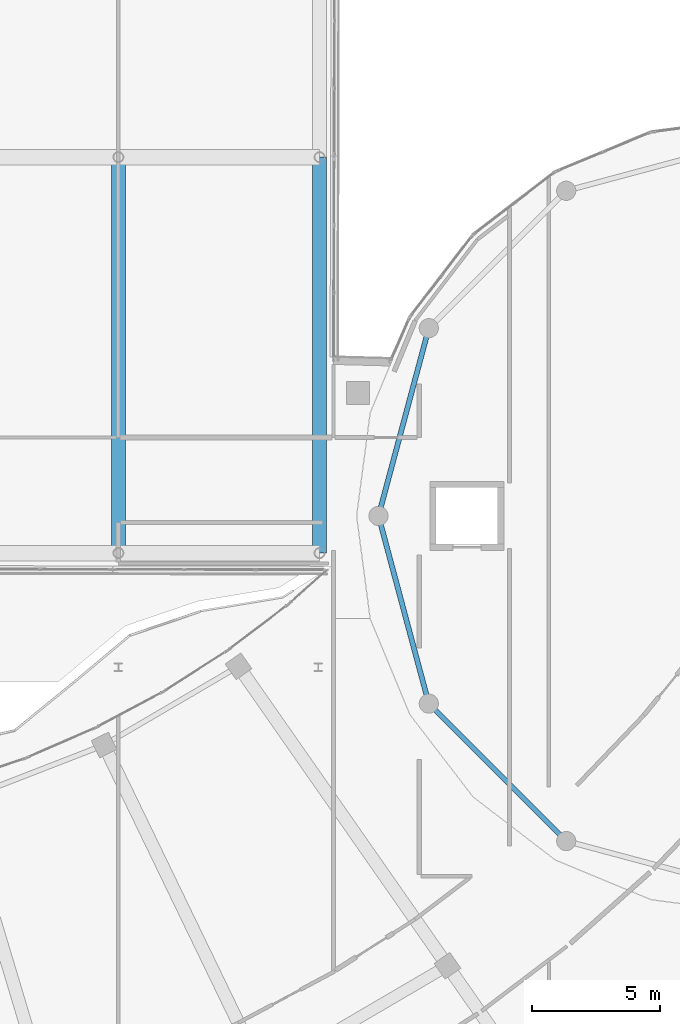
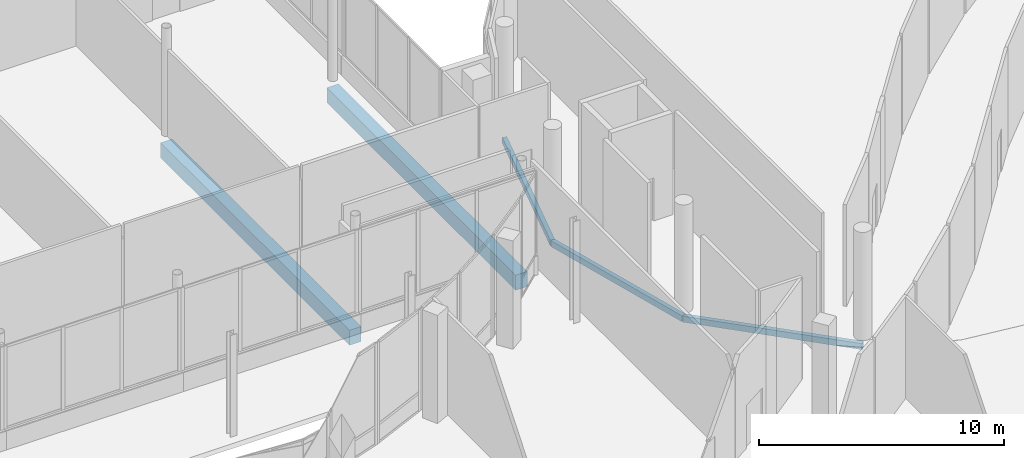
# One storey, part 55 of 158: 5 beams.
"""IFC4 building model written with IfcOpenShell, lengths in metres."""

from ifc_helpers import new_model, si_unit, direction, frame, origin, origin_2d, place, context, subcontext, project, spatial, rectangle, hollow_rectangle, extrude, material, material_profile, profile_set, type_object, element, save


model = new_model("IFC4")

# Units and contexts
model_context = context("Model", 3, precision=1e-05, world=origin(), true_north=direction((0.0, 1.0)))
body_context = subcontext(model_context, "Body", "Model", "MODEL_VIEW")
ifc_project = project(units=[si_unit("LENGTHUNIT", "METRE"), si_unit("AREAUNIT", "SQUARE_METRE"), si_unit("VOLUMEUNIT", "CUBIC_METRE"), si_unit("PLANEANGLEUNIT", "RADIAN"), si_unit("MASSUNIT", "GRAM", prefix="KILO")], contexts=[model_context])

# Site, building, storey
site_placement = place(None, origin())
site = spatial("IfcSite", under=ifc_project, at=site_placement, CompositionType="ELEMENT")
building_placement = place(site_placement, origin())
building = spatial("IfcBuilding", under=site, at=building_placement, Name="Selatvlak General Hospital", CompositionType="ELEMENT")
storey_placement = place(building_placement, origin())
storey = spatial("IfcBuildingStorey", under=building, at=storey_placement, Name="L00", CompositionType="ELEMENT", Elevation=0.0)

# Beams
ifc_material_1 = material(Name="Concrete C40/50", Category="concrete")
ifc_material_profile_1 = material_profile(ifc_material_1, rectangle(XDim=0.550048828125, YDim=0.75, at=origin_2d()), Name="RC-BM 550x750")
ifc_profile_set_1 = profile_set([ifc_material_profile_1], Name="Concrete C40/50")
beam_type_1 = type_object("IfcBeamType", Name="BM-G02", PredefinedType="BEAM", material=ifc_profile_set_1)
for number, where, z_axis, x_axis, name in (
    (1, (73.199951171875, 52.550048828125, -0.72509765625), (0.0, 1.0, 0.0), (-1.0, 0.0, 0.0), "Beam BMR-L00-0206"),
    (2, (81.050048828125, 52.550048828125, -0.72509765625), (0.0, 1.0, 0.0), (-1.0, 0.0, 0.0), "Beam BMR-L00-0213"),
):
    element("IfcBeam", number, at=place(storey_placement, frame(where, z_axis=z_axis, x_axis=x_axis)), inside=storey, type_object=beam_type_1, Name=name, PredefinedType="BEAM", context=body_context, shape_type="SweptSolid", body=[
        extrude(rectangle(XDim=0.550048828125, YDim=0.75, at=origin_2d()), origin(), (0.0, 0.0, 1.0), 15.449951171875),
    ])
ifc_material_2 = material(Name="Steel S355", Category="steel")
ifc_material_profile_2 = material_profile(ifc_material_2, hollow_rectangle(XDim=0.199951171875, YDim=0.300048828125, WallThickness=0.011962890625, at=origin_2d()), Name="RHS 300x200x12")
ifc_profile_set_2 = profile_set([ifc_material_profile_2], Name="Steel S355")
beam_type_2 = type_object("IfcBeamType", Name="BM-SP3", PredefinedType="SPANDREL", material=ifc_profile_set_2)
beam_placement = place(storey_placement, frame((85.31298828125, 46.675048828125, -0.5), z_axis=(0.707106781187, -0.707106781187, 0.0), x_axis=(0.707106781187, 0.707106781187, 0.0)))
element("IfcBeam", 3, at=beam_placement, inside=storey, type_object=beam_type_2, Name="Beam BMR-L00-0324", PredefinedType="SPANDREL", context=body_context, shape_type="SweptSolid", body=[
    extrude(hollow_rectangle(XDim=0.199951171875, YDim=0.300048828125, WallThickness=0.011962890625, at=origin_2d()), origin(), (0.0, 0.0, 1.0), 7.5830078125),
])
for number, where, z_axis, x_axis, name in (
    (4, (85.31298828125, 61.324951171875, -0.5), (-0.25884068345, -0.965920028052, 0.0), (0.965920028052, -0.25884068345, 0.0), "Beam BMR-L00-0334"),
    (5, (83.35009765625, 54.0, -0.5), (0.25884068345, -0.965920028052, 0.0), (0.965920028052, 0.25884068345, 0.0), "Beam BMR-L00-0335"),
):
    element("IfcBeam", number, at=place(storey_placement, frame(where, z_axis=z_axis, x_axis=x_axis)), inside=storey, type_object=beam_type_2, Name=name, PredefinedType="SPANDREL", context=body_context, shape_type="SweptSolid", body=[
        extrude(hollow_rectangle(XDim=0.199951171875, YDim=0.300048828125, WallThickness=0.011962890625, at=origin_2d()), origin(), (0.0, 0.0, 1.0), 7.58349609375),
    ])

save(model, "model.ifc")
